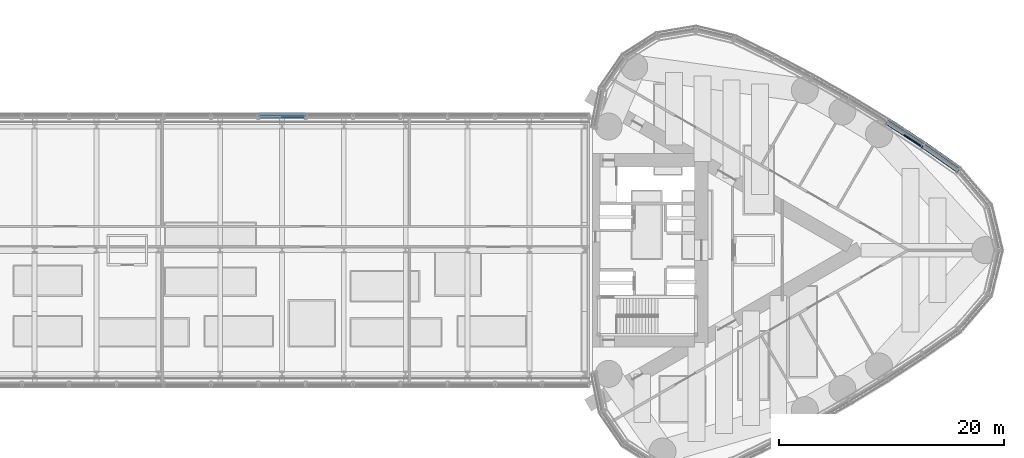
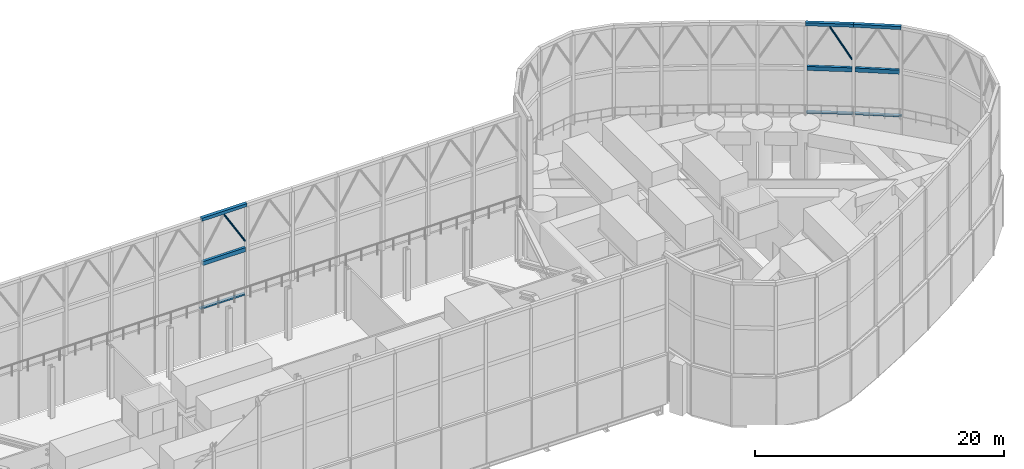
# One storey, part 18 of 33: 11 members, 4 elements without a shape of their own.
"""IFC4 building model written with IfcOpenShell, lengths in metres."""

import ifcopenshell
import ifcopenshell.guid

model = None  # the IFC model being written
_history = None  # IfcOwnerHistory: only IFC2X3 demands one
_inside = {}  # id of a spatial element -> (the spatial element, [elements in it])
_under = {}  # id of a project, library or spatial element -> (it, [spatial elements below it])
_declared = {}  # id of a project -> (the project, [libraries it declares])
_typed = {}  # id of a type object -> (the type object, [elements of that type])
_made_of = {}  # id of a material, layer set ... -> (it, [elements and type objects made of it])


def new_model(schema):
    """Start an empty IFC model of exactly this schema.

    Asked for "IFC4X3", IfcOpenShell would pick the latest addendum, in which some entities
    have other attributes; the version numbers below select the first issue.
    IFC2X3 requires an IfcOwnerHistory on every rooted entity: one is made here for all.
    """
    global model, _history
    if schema == "IFC4X3":
        model = ifcopenshell.file(schema_version=(4, 3, 0, 0))
    else:
        model = ifcopenshell.file(schema=schema)
    _inside.clear()
    _under.clear()
    _declared.clear()
    _typed.clear()
    _made_of.clear()
    _history = None
    if model.schema == "IFC2X3":
        org = make("IfcOrganization", Name="unknown")
        user = make(
            "IfcPersonAndOrganization",
            ThePerson=make("IfcPerson", FamilyName="unknown"),
            TheOrganization=org,
        )
        app = make(
            "IfcApplication",
            ApplicationDeveloper=org,
            Version="unknown",
            ApplicationFullName="unknown",
            ApplicationIdentifier="unknown",
        )
        _history = make(
            "IfcOwnerHistory",
            OwningUser=user,
            OwningApplication=app,
            ChangeAction="ADDED",
            CreationDate=0,
        )
    return model


def make(cls, **values):
    """One entity of the class cls with the attributes given. An attribute that is None is left unset."""
    return model.create_entity(
        cls, **{name: value for name, value in values.items() if value is not None}
    )


def rooted(cls, **values):
    """An entity with a GlobalId (a new one), such as an element, a storey or a relation."""
    return make(cls, GlobalId=ifcopenshell.guid.new(), OwnerHistory=_history, **values)


def si_unit(unit_type, name, prefix=None):
    """IfcSIUnit, for example si_unit("LENGTHUNIT", "METRE", prefix="MILLI")."""
    return make("IfcSIUnit", UnitType=unit_type, Prefix=prefix, Name=name)


def assignment(units):
    """IfcUnitAssignment: the units of a project."""
    return None if units is None else make("IfcUnitAssignment", Units=units)


def point(xyz):
    """IfcCartesianPoint."""
    return None if xyz is None else make("IfcCartesianPoint", Coordinates=xyz)


def direction(xyz):
    """IfcDirection."""
    return None if xyz is None else make("IfcDirection", DirectionRatios=xyz)


def frame(location, z_axis=None, x_axis=None):
    """IfcAxis2Placement3D, a coordinate frame: its origin and axes. An axis left out is left unset."""
    return make(
        "IfcAxis2Placement3D",
        Location=point(location),
        Axis=direction(z_axis),
        RefDirection=direction(x_axis),
    )


def frame_2d(location, x_axis=None):
    """IfcAxis2Placement2D, a coordinate frame in the plane: its origin and x axis."""
    return make(
        "IfcAxis2Placement2D", Location=point(location), RefDirection=direction(x_axis)
    )


def origin():
    """The frame at (0, 0, 0) with its axes left unset."""
    return frame((0.0, 0.0, 0.0))


def origin_2d():
    """The frame at (0, 0) in the plane with its x axis left unset."""
    return frame_2d((0.0, 0.0))


def place(relative_to, where):
    """IfcLocalPlacement: puts the frame where relative to a parent placement (None: the world)."""
    return make(
        "IfcLocalPlacement", PlacementRelTo=relative_to, RelativePlacement=where
    )


def context(
    kind, dimensions, precision=None, world=None, true_north=None, identifier=None
):
    """IfcGeometricRepresentationContext, for example the 3D "Model" context."""
    return make(
        "IfcGeometricRepresentationContext",
        ContextIdentifier=identifier,
        ContextType=kind,
        CoordinateSpaceDimension=dimensions,
        Precision=precision,
        WorldCoordinateSystem=world,
        TrueNorth=true_north,
    )


def subcontext(parent, identifier, kind, view, scale=None):
    """IfcGeometricRepresentationSubContext, for example "Body" below "Model"."""
    return make(
        "IfcGeometricRepresentationSubContext",
        ContextIdentifier=identifier,
        ContextType=kind,
        ParentContext=parent,
        TargetScale=scale,
        TargetView=view,
    )


def project(units=None, contexts=None):
    """IfcProject with its units and contexts."""
    return rooted(
        "IfcProject",
        Name="project",
        RepresentationContexts=contexts,
        UnitsInContext=assignment(units),
    )


def spatial(cls, under=None, at=None, **own):
    """A site, building, storey or space (cls), placed at a placement, below another one or the project."""
    s = rooted(cls, ObjectPlacement=at, **own)
    if under is not None:
        _under.setdefault(under.id(), (under, []))[1].append(s)
    return s


def profile(cls, at=None, kind="AREA", **sizes):
    """A parametric profile (cls). Its sizes go by their IFC names, for example OverallWidth=200.0."""
    return make(cls, ProfileType=kind, Position=at, **sizes)


def rectangle(**sizes):
    """IfcRectangleProfileDef."""
    return profile("IfcRectangleProfileDef", **sizes)


def hollow_rectangle(**sizes):
    """IfcRectangleHollowProfileDef."""
    return profile("IfcRectangleHollowProfileDef", **sizes)


def hollow_circle(**sizes):
    """IfcCircleHollowProfileDef."""
    return profile("IfcCircleHollowProfileDef", **sizes)


def extrude(swept, where, along, depth):
    """IfcExtrudedAreaSolid: the profile swept, set in the frame where, extruded along a direction by depth."""
    return make(
        "IfcExtrudedAreaSolid",
        SweptArea=swept,
        Position=where,
        ExtrudedDirection=direction(along),
        Depth=depth,
    )


def shape(context_of_items, identifier, shape_type, items):
    """IfcShapeRepresentation: the items that make up one representation, for example the "Body"."""
    return make(
        "IfcShapeRepresentation",
        ContextOfItems=context_of_items,
        RepresentationIdentifier=identifier,
        RepresentationType=shape_type,
        Items=items,
    )


def material(Name=None, Category=None):
    """IfcMaterial."""
    return make("IfcMaterial", Name=Name, Category=Category)


def material_profile(
    of_material, cross_section, Name=None, Category=None, Priority=None
):
    """IfcMaterialProfile: a cross section and its material."""
    return make(
        "IfcMaterialProfile",
        Name=Name,
        Material=of_material,
        Profile=cross_section,
        Priority=Priority,
        Category=Category,
    )


def profile_set(profiles, Name=None, composite=None):
    """IfcMaterialProfileSet."""
    return make(
        "IfcMaterialProfileSet",
        Name=Name,
        MaterialProfiles=profiles,
        CompositeProfile=composite,
    )


def made_of(thing, what):
    """Note that an element or type object is made of a material, layer set ...; save() writes the relation."""
    if what is not None:
        _made_of.setdefault(what.id(), (what, []))[1].append(thing)
    return thing


def type_object(cls, material=None, **own):
    """A type object (cls), such as IfcWallType, which elements share."""
    return made_of(rooted(cls, **own), material)


def element(
    cls,
    number,
    at=None,
    inside=None,
    cuts=None,
    type_object=None,
    material=None,
    context=None,
    identifier="Body",
    shape_type=None,
    held_by="IfcProductDefinitionShape",
    body=None,
    shapes=None,
    **own,
):
    """One element of the class cls, such as IfcWall. Its Tag is "e" and its number.

    at: its placement. inside: the storey or other place that contains it. cuts: it is an
    opening in that element (IfcRelVoidsElement). A single representation is given by context,
    identifier, shape_type and body (its items); several are given by shapes. held_by: the class
    of the entity that holds the representations. save() writes the other relations.
    """
    e = rooted(cls, Tag="e%d" % number, ObjectPlacement=at, **own)
    if body is not None:
        shapes = [shape(context, identifier, shape_type, body)]
    if shapes is not None:
        e.Representation = make(held_by, Representations=shapes)
    if inside is not None:
        _inside.setdefault(inside.id(), (inside, []))[1].append(e)
    if cuts is not None:
        rooted(
            "IfcRelVoidsElement", RelatingBuildingElement=cuts, RelatedOpeningElement=e
        )
    if type_object is not None:
        _typed.setdefault(type_object.id(), (type_object, []))[1].append(e)
    return made_of(e, material)


def aggregate(whole, parts):
    """IfcRelAggregates: a whole, such as a stair, and the parts it consists of."""
    return rooted("IfcRelAggregates", RelatingObject=whole, RelatedObjects=parts)


def save(model, path):
    """Write the relations noted so far, then the file.

    IfcRelAggregates (storeys below a building ...), IfcRelContainedInSpatialStructure (elements
    in a storey), IfcRelDefinesByType, IfcRelAssociatesMaterial and IfcRelDeclares: one each for
    every whole, place, type object, material and project.
    """
    for whole, parts in _under.values():
        aggregate(whole, parts)
    for where, things in _inside.values():
        rooted(
            "IfcRelContainedInSpatialStructure",
            RelatedElements=things,
            RelatingStructure=where,
        )
    for kind, things in _typed.values():
        rooted("IfcRelDefinesByType", RelatedObjects=things, RelatingType=kind)
    for what, things in _made_of.values():
        rooted("IfcRelAssociatesMaterial", RelatedObjects=things, RelatingMaterial=what)
    for by, libraries in _declared.values():
        rooted("IfcRelDeclares", RelatingContext=by, RelatedDefinitions=libraries)
    model.write(path)


model = new_model("IFC4")

# Units and contexts
model_context = context("Model", 3, precision=1e-05, world=origin(), true_north=direction((0.0, 1.0)))
body_context = subcontext(model_context, "Body", "Model", "MODEL_VIEW")
ifc_project = project(units=[si_unit("LENGTHUNIT", "METRE"), si_unit("AREAUNIT", "SQUARE_METRE"), si_unit("VOLUMEUNIT", "CUBIC_METRE"), si_unit("PLANEANGLEUNIT", "RADIAN"), si_unit("MASSUNIT", "GRAM", prefix="KILO")], contexts=[model_context])

# Site, building, storey
site_placement = place(None, origin())
site = spatial("IfcSite", under=ifc_project, at=site_placement, CompositionType="ELEMENT")
building_placement = place(site_placement, origin())
building = spatial("IfcBuilding", under=site, at=building_placement, Name="Lancet Gate Hotel", CompositionType="ELEMENT")
storey_placement = place(building_placement, frame((0.0, 0.0, 268.300048828125)))
storey = spatial("IfcBuildingStorey", under=building, at=storey_placement, Name="L70", CompositionType="ELEMENT", Elevation=268.300048828125)

# Curtain wall, members
ifc_material_1 = material(Name="Aluminium curtain wall", Category="aluminium")
curtain_wall_type_1 = type_object("IfcCurtainWallType", Name="Lantern crown glazing", PredefinedType="USERDEFINED", material=ifc_material_1)
curtain_wall_1_placement = place(storey_placement, origin())
curtain_wall_1 = element("IfcCurtainWall", 1, at=curtain_wall_1_placement, inside=storey, type_object=curtain_wall_type_1, Name="T2 L70 curtain wall 1", ObjectType="LANTERN GLAZING", PredefinedType="USERDEFINED")
ifc_material_2 = material(Name="Aluminium transom", Category="aluminium")
ifc_material_profile_1 = material_profile(ifc_material_2, rectangle(XDim=0.25, YDim=0.14990234375, at=origin_2d()), Name="TRANSOM 250x150")
ifc_profile_set_1 = profile_set([ifc_material_profile_1], Name="Aluminium transom")
member_type_1 = type_object("IfcMemberType", Name="Aluminium transom 250x150", PredefinedType="USERDEFINED", material=ifc_profile_set_1)
member_1_placement = place(storey_placement, frame((60.3408203125, 7.31005859375, 4.925048828125), z_axis=(-0.819255948852, 0.573428016642, 0.0), x_axis=(-0.573428016642, -0.819255948852, 0.0)))
member_1 = element("IfcMember", 2, at=member_1_placement, type_object=member_type_1, Name="T2 L70 curtain wall 1 transom 16", ObjectType="TRANSOM", PredefinedType="USERDEFINED", context=body_context, shape_type="SweptSolid", body=[
    extrude(rectangle(XDim=0.25, YDim=0.14990234375, at=origin_2d()), origin(), (0.0, 0.0, 1.0), 3.818603515625),
])
member_2_placement = place(storey_placement, frame((57.158447265625, 9.5361328125, 4.925048828125), z_axis=(-0.836858089593, 0.547419891749, 0.0), x_axis=(-0.547419891749, -0.836858089593, 0.0)))
member_2 = element("IfcMember", 3, at=member_2_placement, type_object=member_type_1, Name="T2 L70 curtain wall 1 transom 17", ObjectType="TRANSOM", PredefinedType="USERDEFINED", context=body_context, shape_type="SweptSolid", body=[
    extrude(rectangle(XDim=0.25, YDim=0.14990234375, at=origin_2d()), origin(), (0.0, 0.0, 1.0), 3.818603515625),
])
aggregate(curtain_wall_1, [member_1, member_2])

# Curtain wall, member
curtain_wall_2_placement = place(storey_placement, origin())
curtain_wall_2 = element("IfcCurtainWall", 4, at=curtain_wall_2_placement, inside=storey, type_object=curtain_wall_type_1, Name="Bridge block L70 curtain wall N", ObjectType="LANTERN GLAZING", PredefinedType="USERDEFINED")
member_3_placement = place(storey_placement, frame((2.0712890625, 12.1201171875, 4.925048828125), z_axis=(-1.0, 0.0, 0.0), x_axis=(0.0, -1.0, 0.0)))
member_3 = element("IfcMember", 5, at=member_3_placement, type_object=member_type_1, Name="Bridge block L70 curtain wall N transom 7", ObjectType="TRANSOM", PredefinedType="USERDEFINED", context=body_context, shape_type="SweptSolid", body=[
    extrude(rectangle(XDim=0.25, YDim=0.14990234375, at=origin_2d()), origin(), (0.0, 0.0, 1.0), 4.142578125),
])
aggregate(curtain_wall_2, [member_3])

# Curtain wall, members
ifc_material_3 = material(Name="Steel framed lantern screen", Category="steel")
curtain_wall_type_2 = type_object("IfcCurtainWallType", Name="Lantern screen", PredefinedType="USERDEFINED", material=ifc_material_3)
curtain_wall_3_placement = place(storey_placement, origin())
curtain_wall_3 = element("IfcCurtainWall", 6, at=curtain_wall_3_placement, inside=storey, type_object=curtain_wall_type_2, Name="T2 lantern screen 1", ObjectType="LANTERN SCREEN", PredefinedType="USERDEFINED")
ifc_material_4 = material(Name="Steel S355", Category="steel")
ifc_material_profile_2 = material_profile(ifc_material_4, hollow_rectangle(XDim=0.300048828125, YDim=0.300048828125, WallThickness=0.012451171875, at=origin_2d()), Name="RHS 300x300x12.5")
ifc_profile_set_2 = profile_set([ifc_material_profile_2], Name="Steel S355")
member_type_2 = type_object("IfcMemberType", Name="Lantern cap beam RHS 300x300x12.5", PredefinedType="USERDEFINED", material=ifc_profile_set_2)
member_4_placement = place(storey_placement, frame((60.12353515625, 7.0224609375, 13.849853515625), z_axis=(-0.819231920519, 0.573462344363, 0.0), x_axis=(-0.573462344363, -0.819231920519, 0.0)))
member_4 = element("IfcMember", 7, at=member_4_placement, type_object=member_type_2, Name="T2 lantern screen 1 cap 16", ObjectType="LANTERN FRAME", PredefinedType="USERDEFINED", context=body_context, shape_type="SweptSolid", body=[
    extrude(hollow_rectangle(XDim=0.300048828125, YDim=0.300048828125, WallThickness=0.012451171875, at=origin_2d()), origin(), (0.0, 0.0, 1.0), 3.83251953125),
])
member_5_placement = place(storey_placement, frame((56.98388671875, 9.22021484375, 13.849853515625), z_axis=(-0.836839639079, 0.547448096596, 0.0), x_axis=(-0.547448096596, -0.836839639079, 0.0)))
member_5 = element("IfcMember", 8, at=member_5_placement, type_object=member_type_2, Name="T2 lantern screen 1 cap 17", ObjectType="LANTERN FRAME", PredefinedType="USERDEFINED", context=body_context, shape_type="SweptSolid", body=[
    extrude(hollow_rectangle(XDim=0.300048828125, YDim=0.300048828125, WallThickness=0.012451171875, at=origin_2d()), origin(), (0.0, 0.0, 1.0), 3.872314453125),
])

# Curtain wall, member
curtain_wall_4_placement = place(storey_placement, origin())
curtain_wall_4 = element("IfcCurtainWall", 9, at=curtain_wall_4_placement, inside=storey, type_object=curtain_wall_type_2, Name="Bridge block lantern screen N", ObjectType="LANTERN SCREEN", PredefinedType="USERDEFINED")
member_6_placement = place(storey_placement, frame((2.103759765625, 11.8798828125, 13.849853515625), z_axis=(-1.0, 0.0, 0.0), x_axis=(0.0, -1.0, 0.0)))
member_6 = element("IfcMember", 10, at=member_6_placement, type_object=member_type_2, Name="Bridge block lantern screen N cap 7", ObjectType="LANTERN FRAME", PredefinedType="USERDEFINED", context=body_context, shape_type="SweptSolid", body=[
    extrude(hollow_rectangle(XDim=0.300048828125, YDim=0.300048828125, WallThickness=0.012451171875, at=origin_2d()), origin(), (0.0, 0.0, 1.0), 4.20751953125),
])

# Member
ifc_material_5 = material(Name="Steel S355", Category="steel")
ifc_material_profile_3 = material_profile(ifc_material_5, hollow_circle(Radius=0.084228515625, WallThickness=0.008056640625, at=origin_2d()), Name="CHS 168.3x8.0")
ifc_profile_set_3 = profile_set([ifc_material_profile_3], Name="Steel S355")
member_type_3 = type_object("IfcMemberType", Name="Lantern lancet head CHS 168.3x8", PredefinedType="USERDEFINED", material=ifc_profile_set_3)
member_7_placement = place(storey_placement, frame((56.87939453125, 9.28857421875, 10.43994140625), z_axis=(-0.414623596482, 0.271184800341, 0.868646117417), x_axis=(-0.547369198902, -0.836891247471, 0.0)))
member_7 = element("IfcMember", 11, at=member_7_placement, type_object=member_type_3, Name="T2 lantern screen 1 lancet head 17A", ObjectType="LANTERN FRAME", PredefinedType="USERDEFINED", context=body_context, shape_type="SweptSolid", body=[
    extrude(hollow_circle(Radius=0.084228515625, WallThickness=0.008056640625, at=origin_2d()), origin(), (0.0, 0.0, 1.0), 3.656005859375),
])

member_8_placement = place(storey_placement, frame((1.978759765625, 11.8798828125, 10.300048828125), z_axis=(-0.512467285429, 0.0, 0.858706749342), x_axis=(0.0, -1.0, 0.0)))
member_8 = element("IfcMember", 12, at=member_8_placement, type_object=member_type_3, Name="Bridge block lantern screen N lancet head 7A", ObjectType="LANTERN FRAME", PredefinedType="USERDEFINED", context=body_context, shape_type="SweptSolid", body=[
    extrude(hollow_circle(Radius=0.084228515625, WallThickness=0.008056640625, at=origin_2d()), origin(), (0.0, 0.0, 1.0), 3.861328125),
])

ifc_material_6 = material(Name="Steel S355", Category="steel")
ifc_material_profile_4 = material_profile(ifc_material_6, hollow_rectangle(XDim=0.25, YDim=0.39990234375, WallThickness=0.012451171875, at=origin_2d()), Name="RHS 400x250x12.5")
ifc_profile_set_4 = profile_set([ifc_material_profile_4], Name="Steel S355")
member_type_4 = type_object("IfcMemberType", Name="Lantern ring beam RHS 400x250x12.5", PredefinedType="USERDEFINED", material=ifc_profile_set_4)
member_9_placement = place(storey_placement, frame((60.021240234375, 7.09423828125, 9.5), z_axis=(-0.819254332273, 0.573430326241, 0.0), x_axis=(-0.573430326241, -0.819254332273, 0.0)))
member_9 = element("IfcMember", 13, at=member_9_placement, type_object=member_type_4, Name="T2 lantern screen 1 ring 16", ObjectType="LANTERN FRAME", PredefinedType="USERDEFINED", context=body_context, shape_type="SweptSolid", body=[
    extrude(hollow_rectangle(XDim=0.25, YDim=0.39990234375, WallThickness=0.012451171875, at=origin_2d()), origin(), (0.0, 0.0, 1.0), 3.582275390625),
])

member_10_placement = place(storey_placement, frame((56.87939453125, 9.28857421875, 9.5), z_axis=(-0.836871053821, 0.547400072412, 0.0), x_axis=(-0.547400072412, -0.836871053821, 0.0)))
member_10 = element("IfcMember", 14, at=member_10_placement, type_object=member_type_4, Name="T2 lantern screen 1 ring 17", ObjectType="LANTERN FRAME", PredefinedType="USERDEFINED", context=body_context, shape_type="SweptSolid", body=[
    extrude(hollow_rectangle(XDim=0.25, YDim=0.39990234375, WallThickness=0.012451171875, at=origin_2d()), origin(), (0.0, 0.0, 1.0), 3.622314453125),
])

aggregate(curtain_wall_3, [member_4, member_9, member_5, member_10, member_7])

member_11_placement = place(storey_placement, frame((1.978759765625, 11.8798828125, 9.5), z_axis=(-1.0, 0.0, 0.0), x_axis=(0.0, -1.0, 0.0)))
member_11 = element("IfcMember", 15, at=member_11_placement, type_object=member_type_4, Name="Bridge block lantern screen N ring 7", ObjectType="LANTERN FRAME", PredefinedType="USERDEFINED", context=body_context, shape_type="SweptSolid", body=[
    extrude(hollow_rectangle(XDim=0.25, YDim=0.39990234375, WallThickness=0.012451171875, at=origin_2d()), origin(), (0.0, 0.0, 1.0), 3.95751953125),
])

aggregate(curtain_wall_4, [member_6, member_11, member_8])

save(model, "model.ifc")
